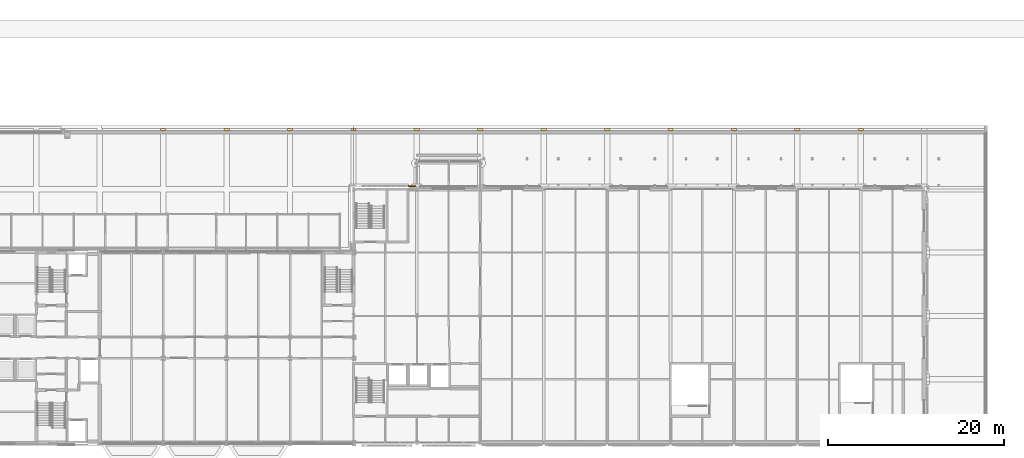
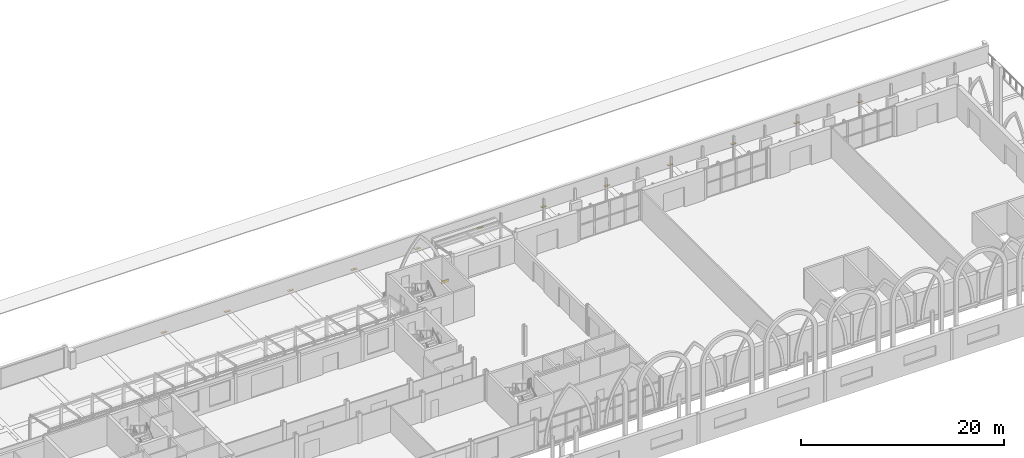
# One storey, part 140 of 143: 14 coverings.
"""IFC4 building model written with IfcOpenShell, lengths in metres."""

from ifc_helpers import new_model, si_unit, direction, frame, origin, origin_2d, place, context, subcontext, project, spatial, polyline, rectangle, outline, extrude, material, layer, layer_set, type_object, element, save


model = new_model("IFC4")

# Units and contexts
model_context = context("Model", 3, precision=1e-05, world=origin(), true_north=direction((0.0, 1.0)))
body_context = subcontext(model_context, "Body", "Model", "MODEL_VIEW")
ifc_project = project(units=[si_unit("LENGTHUNIT", "METRE"), si_unit("AREAUNIT", "SQUARE_METRE"), si_unit("VOLUMEUNIT", "CUBIC_METRE"), si_unit("PLANEANGLEUNIT", "RADIAN"), si_unit("MASSUNIT", "GRAM", prefix="KILO")], contexts=[model_context])

# Site, building, storey
site_placement = place(None, origin())
site = spatial("IfcSite", under=ifc_project, at=site_placement, CompositionType="ELEMENT")
building_placement = place(site_placement, origin())
building = spatial("IfcBuilding", under=site, at=building_placement, Name="Kupolbacken Congress Centre", CompositionType="ELEMENT")
storey_placement = place(building_placement, frame((0.0, 0.0, 7.199951171875)))
storey = spatial("IfcBuildingStorey", under=building, at=storey_placement, Name="L02", CompositionType="ELEMENT", Elevation=7.199951171875)

# Coverings
ifc_material_1 = material(Name="Limestone cladding", Category="masonry")
ifc_layer_1 = layer(ifc_material_1, 0.1201171875)
ifc_layer_set_1 = layer_set([ifc_layer_1], Name="Limestone cladding")
covering_type_1 = type_object("IfcCoveringType", Name="CV1 limestone cladding band 120", PredefinedType="CLADDING", material=ifc_layer_set_1)
covering_1_placement = place(storey_placement, frame((143.425048828125, 151.5, 0.0), z_axis=(0.0, 0.0, 1.0), x_axis=(-1.0, 0.0, 0.0)))
element("IfcCovering", 1, at=covering_1_placement, inside=storey, type_object=covering_type_1, Name="E/BF/N/L02/220/band", PredefinedType="CLADDING", context=body_context, shape_type="SweptSolid", body=[
    extrude(rectangle(XDim=0.85009765625, YDim=0.1201171875, at=origin_2d()), origin(), (0.0, 0.0, 1.0), 0.300048828125),
])
ifc_material_2 = material(Name="Brick", Category="masonry")
ifc_layer_2 = layer(ifc_material_2, 0.02001953125)
ifc_layer_set_2 = layer_set([ifc_layer_2], Name="Brick")
covering_type_2 = type_object("IfcCoveringType", Name="GF2 brick paving 20", PredefinedType="FLOORING", material=ifc_layer_set_2)
covering_2_placement = place(storey_placement, origin())
element("IfcCovering", 2, at=covering_2_placement, inside=storey, type_object=covering_type_2, Name="Arrival paving band", PredefinedType="FLOORING", context=body_context, shape_type="SweptSolid", body=[
    extrude(outline(polyline([(114.89990234375, 158.09912109375), (115.5, 158.09912109375), (115.5, 157.830078125), (114.89990234375, 157.830078125), (114.89990234375, 158.09912109375)])), origin(), (0.0, 0.0, 1.0), 0.02001953125),
])
covering_3_placement = place(storey_placement, origin())
element("IfcCovering", 3, at=covering_3_placement, inside=storey, type_object=covering_type_2, Name="Arrival paving band", PredefinedType="FLOORING", context=body_context, shape_type="SweptSolid", body=[
    extrude(outline(polyline([(122.10009765625, 158.09912109375), (122.699951171875, 158.09912109375), (122.699951171875, 157.830078125), (122.10009765625, 157.830078125), (122.10009765625, 158.09912109375)])), origin(), (0.0, 0.0, 1.0), 0.02001953125),
])
covering_4_placement = place(storey_placement, origin())
element("IfcCovering", 4, at=covering_4_placement, inside=storey, type_object=covering_type_2, Name="Arrival paving band", PredefinedType="FLOORING", context=body_context, shape_type="SweptSolid", body=[
    extrude(outline(polyline([(129.300048828125, 158.09912109375), (129.89990234375, 158.09912109375), (129.89990234375, 157.830078125), (129.300048828125, 157.830078125), (129.300048828125, 158.09912109375)])), origin(), (0.0, 0.0, 1.0), 0.02001953125),
])
covering_5_placement = place(storey_placement, origin())
element("IfcCovering", 5, at=covering_5_placement, inside=storey, type_object=covering_type_2, Name="Arrival paving band", PredefinedType="FLOORING", context=body_context, shape_type="SweptSolid", body=[
    extrude(outline(polyline([(136.5, 158.09912109375), (136.798095703125, 158.09912109375), (136.798095703125, 157.830078125), (136.5, 157.830078125), (136.5, 158.09912109375)])), origin(), (0.0, 0.0, 1.0), 0.02001953125),
])
covering_6_placement = place(storey_placement, origin())
element("IfcCovering", 6, at=covering_6_placement, inside=storey, type_object=covering_type_2, Name="North paving band", PredefinedType="FLOORING", context=body_context, shape_type="SweptSolid", body=[
    extrude(outline(polyline([(143.699951171875, 158.09912109375), (144.300048828125, 158.09912109375), (144.300048828125, 157.830078125), (143.699951171875, 157.830078125), (143.699951171875, 158.09912109375)])), origin(), (0.0, 0.0, 1.0), 0.02001953125),
])
covering_7_placement = place(storey_placement, origin())
element("IfcCovering", 7, at=covering_7_placement, inside=storey, type_object=covering_type_2, Name="North paving band", PredefinedType="FLOORING", context=body_context, shape_type="SweptSolid", body=[
    extrude(outline(polyline([(137.10009765625, 157.830078125), (136.802001953125, 157.830078125), (136.802001953125, 158.09912109375), (137.10009765625, 158.09912109375), (137.10009765625, 157.830078125)])), origin(), (0.0, 0.0, 1.0), 0.02001953125),
])
covering_8_placement = place(storey_placement, origin())
element("IfcCovering", 8, at=covering_8_placement, inside=storey, type_object=covering_type_2, Name="North paving band", PredefinedType="FLOORING", context=body_context, shape_type="SweptSolid", body=[
    extrude(outline(polyline([(150.89990234375, 158.09912109375), (151.5, 158.09912109375), (151.5, 157.830078125), (150.89990234375, 157.830078125), (150.89990234375, 158.09912109375)])), origin(), (0.0, 0.0, 1.0), 0.02001953125),
])
covering_9_placement = place(storey_placement, origin())
element("IfcCovering", 9, at=covering_9_placement, inside=storey, type_object=covering_type_2, Name="North paving band", PredefinedType="FLOORING", context=body_context, shape_type="SweptSolid", body=[
    extrude(outline(polyline([(158.10009765625, 158.09912109375), (158.699951171875, 158.09912109375), (158.699951171875, 157.830078125), (158.10009765625, 157.830078125), (158.10009765625, 158.09912109375)])), origin(), (0.0, 0.0, 1.0), 0.02001953125),
])
covering_10_placement = place(storey_placement, origin())
element("IfcCovering", 10, at=covering_10_placement, inside=storey, type_object=covering_type_2, Name="North paving band", PredefinedType="FLOORING", context=body_context, shape_type="SweptSolid", body=[
    extrude(outline(polyline([(165.300048828125, 158.09912109375), (165.89990234375, 158.09912109375), (165.89990234375, 157.830078125), (165.300048828125, 157.830078125), (165.300048828125, 158.09912109375)])), origin(), (0.0, 0.0, 1.0), 0.02001953125),
])
covering_11_placement = place(storey_placement, origin())
element("IfcCovering", 11, at=covering_11_placement, inside=storey, type_object=covering_type_2, Name="North paving band", PredefinedType="FLOORING", context=body_context, shape_type="SweptSolid", body=[
    extrude(outline(polyline([(172.5, 158.09912109375), (173.10009765625, 158.09912109375), (173.10009765625, 157.830078125), (172.5, 157.830078125), (172.5, 158.09912109375)])), origin(), (0.0, 0.0, 1.0), 0.02001953125),
])
covering_12_placement = place(storey_placement, origin())
element("IfcCovering", 12, at=covering_12_placement, inside=storey, type_object=covering_type_2, Name="North paving band", PredefinedType="FLOORING", context=body_context, shape_type="SweptSolid", body=[
    extrude(outline(polyline([(179.699951171875, 158.09912109375), (180.300048828125, 158.09912109375), (180.300048828125, 157.830078125), (179.699951171875, 157.830078125), (179.699951171875, 158.09912109375)])), origin(), (0.0, 0.0, 1.0), 0.02001953125),
])
covering_13_placement = place(storey_placement, origin())
element("IfcCovering", 13, at=covering_13_placement, inside=storey, type_object=covering_type_2, Name="North paving band", PredefinedType="FLOORING", context=body_context, shape_type="SweptSolid", body=[
    extrude(outline(polyline([(186.89990234375, 158.09912109375), (187.5, 158.09912109375), (187.5, 157.830078125), (186.89990234375, 157.830078125), (186.89990234375, 158.09912109375)])), origin(), (0.0, 0.0, 1.0), 0.02001953125),
])
covering_14_placement = place(storey_placement, origin())
element("IfcCovering", 14, at=covering_14_placement, inside=storey, type_object=covering_type_2, Name="North paving band", PredefinedType="FLOORING", context=body_context, shape_type="SweptSolid", body=[
    extrude(outline(polyline([(194.10009765625, 158.09912109375), (194.699951171875, 158.09912109375), (194.699951171875, 157.830078125), (194.10009765625, 157.830078125), (194.10009765625, 158.09912109375)])), origin(), (0.0, 0.0, 1.0), 0.02001953125),
])

save(model, "model.ifc")
